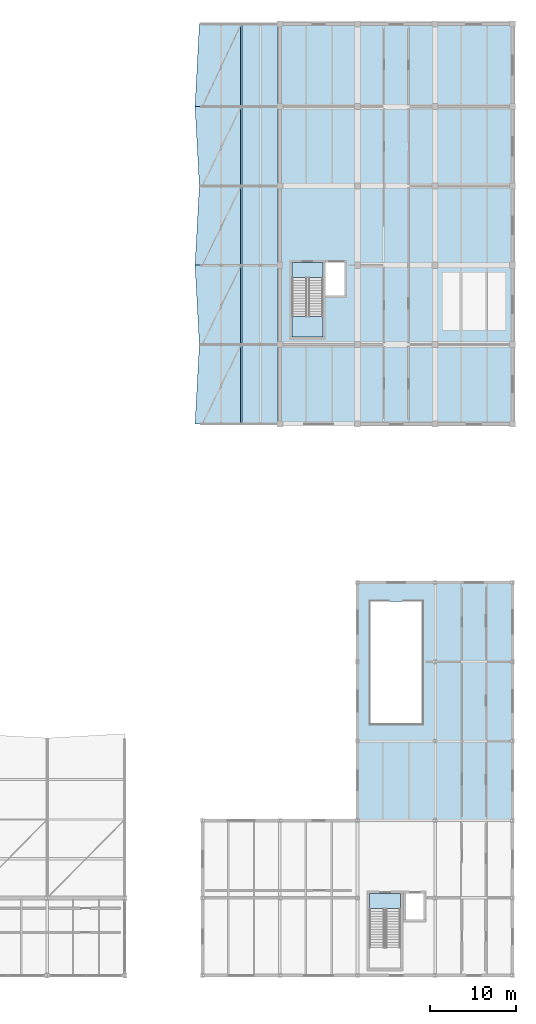
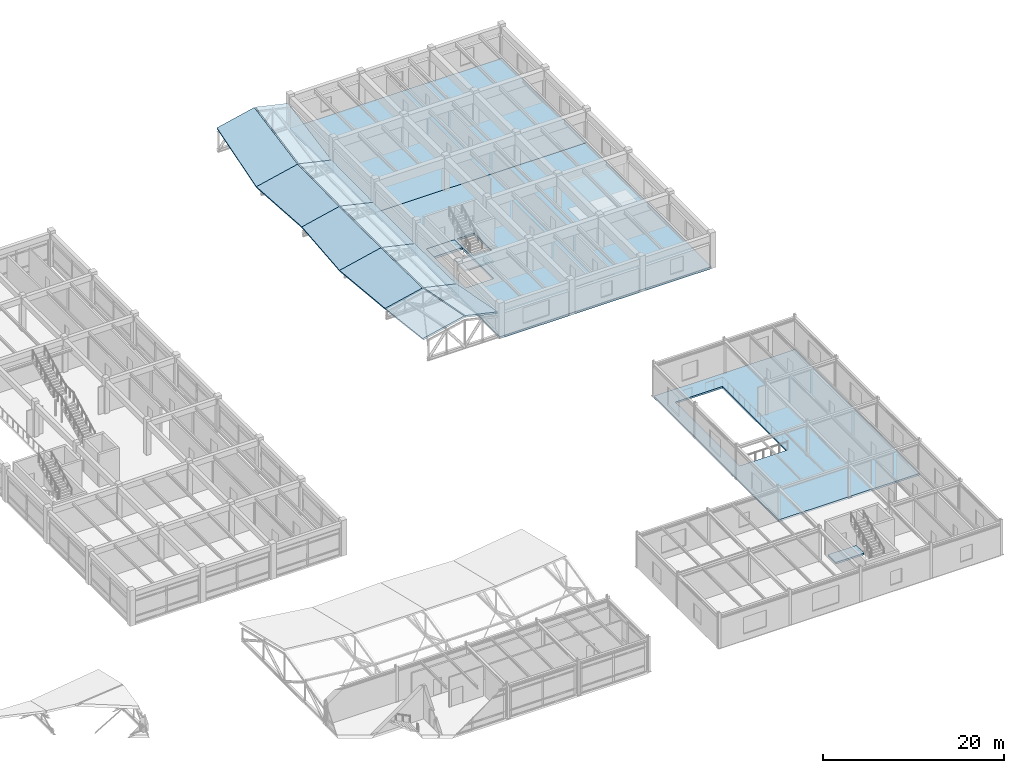
# One storey, part 58 of 90: 16 slabs, 1 element without a shape of its own.
"""IFC4 building model written with IfcOpenShell, lengths in metres."""

from ifc_helpers import new_model, si_unit, direction, frame, origin, place, context, subcontext, project, spatial, polyline, outline, extrude, material, layer, layer_set, type_object, element, aggregate, save


model = new_model("IFC4")

# Units and contexts
model_context = context("Model", 3, precision=1e-05, world=origin(), true_north=direction((0.0, 1.0)))
body_context = subcontext(model_context, "Body", "Model", "MODEL_VIEW")
ifc_project = project(units=[si_unit("LENGTHUNIT", "METRE"), si_unit("AREAUNIT", "SQUARE_METRE"), si_unit("VOLUMEUNIT", "CUBIC_METRE"), si_unit("PLANEANGLEUNIT", "RADIAN"), si_unit("MASSUNIT", "GRAM", prefix="KILO")], contexts=[model_context])

# Site, building, storey
site_placement = place(None, origin())
site = spatial("IfcSite", under=ifc_project, at=site_placement, CompositionType="ELEMENT")
building_placement = place(site_placement, origin())
building = spatial("IfcBuilding", under=site, at=building_placement, Name="Bozkorgan Art Gallery", CompositionType="ELEMENT")
storey_placement = place(building_placement, frame((0.0, 0.0, 5.39990234375)))
storey = spatial("IfcBuildingStorey", under=building, at=storey_placement, Name="L01", CompositionType="ELEMENT", Elevation=5.39990234375)

# Stair, slab
ifc_material = material(Name="Concrete C35/45", Category="concrete")
stair_type = type_object("IfcStairType", Name="STAIR-CORE3", PredefinedType="HALF_TURN_STAIR", material=ifc_material)
stair_placement = place(storey_placement, origin())
stair = element("IfcStair", 1, at=stair_placement, inside=storey, type_object=stair_type, Name="L01 ST3 Core Stair", PredefinedType="HALF_TURN_STAIR")
ifc_layer_1 = layer(ifc_material, 0.25, Name="Concrete C35/45")
ifc_layer_set_1 = layer_set([ifc_layer_1], Name="Concrete C35/45")
slab_type_1 = type_object("IfcSlabType", Name="LAND-CORE3", PredefinedType="LANDING", material=ifc_layer_set_1)
slab_1_placement = place(storey_placement, frame((0.0, 0.0, 2.2001953125)))
slab_1 = element("IfcSlab", 2, at=slab_1_placement, type_object=slab_type_1, Name="ST3 landing 1", PredefinedType="LANDING", context=body_context, shape_type="SweptSolid", body=[
    extrude(outline(polyline([(138.39990234375, 78.449951171875), (138.39990234375, 76.050048828125), (142.0, 76.050048828125), (142.0, 78.449951171875), (138.39990234375, 78.449951171875)])), origin(), (0.0, 0.0, 1.0), 0.199951171875),
])
aggregate(stair, [slab_1])

# Slabs
slab_2_placement = place(storey_placement, frame((0.0, 0.0, -0.27978515625)))
element("IfcSlab", 3, at=slab_2_placement, inside=storey, type_object=slab_type_1, Name="ST3 L01 floor landing", PredefinedType="LANDING", context=body_context, shape_type="SweptSolid", body=[
    extrude(outline(polyline([(138.39990234375, 82.949951171875), (142.0, 82.949951171875), (142.0, 84.699951171875), (138.39990234375, 84.699951171875), (138.39990234375, 82.949951171875)])), origin(), (0.0, 0.0, 1.0), 0.27978515625),
])
ifc_layer_2 = layer(ifc_material, 0.25, Name="Concrete C35/45")
ifc_layer_set_2 = layer_set([ifc_layer_2], Name="Concrete C35/45")
slab_type_2 = type_object("IfcSlabType", Name="LAND-CORE4", PredefinedType="LANDING", material=ifc_layer_set_2)
slab_3_placement = place(storey_placement, frame((0.0, 0.0, -0.239990234375)))
element("IfcSlab", 4, at=slab_3_placement, inside=storey, type_object=slab_type_2, Name="ST4 L01 floor landing", PredefinedType="LANDING", context=body_context, shape_type="SweptSolid", body=[
    extrude(outline(polyline([(147.39990234375, 9.75), (151.0, 9.75), (151.0, 11.5), (147.39990234375, 11.5), (147.39990234375, 9.75)])), origin(), (0.0, 0.0, 1.0), 0.239990234375),
])
ifc_layer_3 = layer(ifc_material, 0.219970703125, Name="Concrete C35/45")
ifc_layer_set_3 = layer_set([ifc_layer_3], Name="Concrete C35/45")
slab_type_3 = type_object("IfcSlabType", Name="SLAB-RF-44", PredefinedType="ROOF", material=ifc_layer_set_3)
slab_4_placement = place(storey_placement, frame((127.14990234375, 66.0, 3.198486328125), z_axis=(-0.21760080315, 0.187860580731, 0.957788229556), x_axis=(0.975149794755, -6.961765e-06, 0.221546558857)))
element("IfcSlab", 5, at=slab_4_placement, inside=storey, type_object=slab_type_3, Name="ROOF-V5-DOCK swept-eave pitched roof slab 1W", PredefinedType="ROOF", context=body_context, shape_type="SweptSolid", body=[
    extrude(outline(polyline([(0.0, 0.0), (5.404362632023629, -5.551115123125783e-17), (5.004476278684716, 9.366754475368904), (0.11294788070499961, 9.366681498488402), (0.0, 0.0)])), origin(), (0.0, 0.0, -1.0), 0.219970703125),
])
slab_5_placement = place(storey_placement, frame((132.580078125, 66.0, 4.39599609375), z_axis=(0.217604644199, 0.187869140936, 0.957785677857), x_axis=(0.975148899705, 5.136582e-06, -0.221550498481)))
element("IfcSlab", 6, at=slab_5_placement, inside=storey, type_object=slab_type_3, Name="ROOF-V5-DOCK swept-eave pitched roof slab 1E", PredefinedType="ROOF", context=body_context, shape_type="SweptSolid", body=[
    extrude(outline(polyline([(0.0, 0.0), (4.2762159891531, -2.7755575615628914e-17), (4.676038571204956, 9.366710163728165), (0.3998766715290244, 9.366754890112032), (0.0, 0.0)])), origin(), (0.0, 0.0, -1.0), 0.219970703125),
])
slab_6_placement = place(storey_placement, frame((127.64990234375, 75.199951171875, 1.5078125), z_axis=(-0.221491823862, 0.016698757195, 0.975019242615), x_axis=(0.975155213522, 3.09923e-07, 0.221522706605)))
element("IfcSlab", 7, at=slab_6_placement, inside=storey, type_object=slab_type_3, Name="ROOF-V5-DOCK swept-eave pitched roof slab 2W", PredefinedType="ROOF", context=body_context, shape_type="SweptSolid", body=[
    extrude(outline(polyline([(0.0, 0.0), (4.891528401781599, 0.0), (4.8566479166939684, 9.201232631052482), (-0.5476606263400977, 9.201235822417706), (0.0, 0.0)])), origin(), (0.0, 0.0, -1.0), 0.219970703125),
])
slab_7_placement = place(storey_placement, frame((132.580078125, 75.199951171875, 2.59130859375), z_axis=(0.221518637901, 0.016701721099, 0.975013100207), x_axis=(0.975149119111, -4.64866e-07, -0.221549532828)))
element("IfcSlab", 8, at=slab_7_placement, inside=storey, type_object=slab_type_3, Name="ROOF-V5-DOCK swept-eave pitched roof slab 2E", PredefinedType="ROOF", context=body_context, shape_type="SweptSolid", body=[
    extrude(outline(polyline([(0.0, 0.0), (4.276161899851824, -1.734723475976807e-18), (4.311099273062037, 9.20123659638261), (0.034883283968800256, 9.201232620120015), (0.0, 0.0)])), origin(), (0.0, 0.0, -1.0), 0.219970703125),
])
slab_8_placement = place(storey_placement, frame((127.14990234375, 84.39990234375, 1.236572265625), z_axis=(-0.221545260401, 3.713798e-06, 0.975150089771), x_axis=(0.975150089778, 2.3e-11, 0.221545260402)))
element("IfcSlab", 9, at=slab_8_placement, inside=storey, type_object=slab_type_3, Name="ROOF-V5-DOCK swept-eave pitched roof slab 3W", PredefinedType="ROOF", context=body_context, shape_type="SweptSolid", body=[
    extrude(outline(polyline([(0.0, 0.0), (5.404308543689534, 8.470329472543003e-22), (5.404308543905552, 9.200195312436556), (0.5127260573331108, 9.200195312678302), (0.0, 0.0)])), origin(), (0.0, 0.0, -1.0), 0.219970703125),
])
slab_9_placement = place(storey_placement, frame((132.580078125, 84.39990234375, 2.433837890625), z_axis=(0.221576685479, 0.0, 0.975142949752), x_axis=(0.975142949752, 0.0, -0.221576685479)))
element("IfcSlab", 10, at=slab_9_placement, inside=storey, type_object=slab_type_3, Name="ROOF-V5-DOCK swept-eave pitched roof slab 3E", PredefinedType="ROOF", context=body_context, shape_type="SweptSolid", body=[
    extrude(outline(polyline([(0.0, 0.0), (4.2762159907514325, 0.0), (4.2762159907514325, 9.2001953125), (0.0, 9.2001953125), (0.0, 0.0)])), origin(), (0.0, 0.0, -1.0), 0.219970703125),
])
slab_10_placement = place(storey_placement, frame((127.64990234375, 93.60009765625, 1.35009765625), z_axis=(-0.221525882213, -0.013226071406, 0.975064795049), x_axis=(0.975150089507, 9.2376e-08, 0.221545261594)))
element("IfcSlab", 11, at=slab_10_placement, inside=storey, type_object=slab_type_3, Name="ROOF-V5-DOCK swept-eave pitched roof slab 4W", PredefinedType="ROOF", context=body_context, shape_type="SweptSolid", body=[
    extrude(outline(polyline([(0.0, 0.0), (4.891582486572461, -1.734723475976807e-18), (4.919222405927205, 9.200755491970396), (-0.48508613776226245, 9.200756443146194), (0.0, 0.0)])), origin(), (0.0, 0.0, -1.0), 0.219970703125),
])
slab_11_placement = place(storey_placement, frame((132.580078125, 93.60009765625, 2.433837890625), z_axis=(0.22153013484, -0.013235280751, 0.97506370392), x_axis=(0.975149116311, -3.68397e-07, -0.221549545155)))
element("IfcSlab", 12, at=slab_11_placement, inside=storey, type_object=slab_type_3, Name="ROOF-V5-DOCK swept-eave pitched roof slab 4E", PredefinedType="ROOF", context=body_context, shape_type="SweptSolid", body=[
    extrude(outline(polyline([(0.0, 0.0), (4.276215989094914, 0.0), (4.24851890671229, 9.200758632979372), (-0.027642993138201725, 9.20075548202949), (0.0, 0.0)])), origin(), (0.0, 0.0, -1.0), 0.219970703125),
])
slab_12_placement = place(storey_placement, frame((127.14990234375, 102.800048828125, 1.361328125), z_axis=(-0.217784556283, -0.183471013095, 0.95859703442), x_axis=(0.975150136926, -1.140269e-06, 0.221545052872)))
element("IfcSlab", 13, at=slab_12_placement, inside=storey, type_object=slab_type_3, Name="ROOF-V5-DOCK swept-eave pitched roof slab 5W", PredefinedType="ROOF", context=body_context, shape_type="SweptSolid", body=[
    extrude(outline(polyline([(0.0, 0.0), (5.404308543693168, 0.0), (5.811364996671168, 9.765630544784935), (0.9197825101092904, 9.765618601971928), (0.0, 0.0)])), origin(), (0.0, 0.0, -1.0), 0.219970703125),
])
slab_13_placement = place(storey_placement, frame((132.580078125, 102.800048828125, 2.55859375), z_axis=(0.217789118189, -0.183462438222, 0.958597639137), x_axis=(0.975149324961, 5.020413e-06, -0.221548626721)))
element("IfcSlab", 14, at=slab_13_placement, inside=storey, type_object=slab_type_3, Name="ROOF-V5-DOCK swept-eave pitched roof slab 5E", PredefinedType="ROOF", context=body_context, shape_type="SweptSolid", body=[
    extrude(outline(polyline([(0.0, 0.0), (4.2761618999071285, 2.7755575615628914e-17), (3.8691902181632596, 9.765588145182704), (-0.40702577076406476, 9.765631823006478), (0.0, 0.0)])), origin(), (0.0, 0.0, -1.0), 0.219970703125),
])
ifc_layer_4 = layer(ifc_material, 0.239990234375, Name="Concrete C35/45")
ifc_layer_set_4 = layer_set([ifc_layer_4], Name="Concrete C35/45")
slab_type_4 = type_object("IfcSlabType", Name="SLAB-SL-33", PredefinedType="FLOOR", material=ifc_layer_set_4)
slab_14_placement = place(storey_placement, frame((0.0, 0.0, -0.239990234375)))
element("IfcSlab", 15, at=slab_14_placement, inside=storey, type_object=slab_type_4, Name="V6 L01 floor slab 2.1", PredefinedType="FLOOR", context=body_context, shape_type="SweptSolid", body=[
    extrude(outline(polyline([(146.0, 20.0), (164.0, 20.0), (164.0, 47.60009765625), (146.0, 47.60009765625), (146.0, 20.0)]), holes=[polyline([(147.5, 31.199951171875), (153.5, 31.199951171875), (153.5, 45.39990234375), (147.5, 45.39990234375), (147.5, 31.199951171875)])]), origin(), (0.0, 0.0, 1.0), 0.239990234375),
])
ifc_layer_5 = layer(ifc_material, 0.280029296875, Name="Concrete C35/45")
ifc_layer_set_5 = layer_set([ifc_layer_5], Name="Concrete C35/45")
slab_type_5 = type_object("IfcSlabType", Name="SLAB-SL-86", PredefinedType="FLOOR", material=ifc_layer_set_5)
slab_15_placement = place(storey_placement, frame((0.0, 0.0, -0.27978515625)))
element("IfcSlab", 16, at=slab_15_placement, inside=storey, type_object=slab_type_5, Name="V5 L01 floor slab 1.1", PredefinedType="FLOOR", context=body_context, shape_type="SweptSolid", body=[
    extrude(outline(polyline([(137.0, 66.0), (164.0, 66.0), (164.0, 93.60009765625), (137.0, 93.60009765625), (137.0, 66.0)]), holes=[polyline([(138.39990234375, 76.050048828125), (142.0, 76.050048828125), (142.0, 84.699951171875), (138.39990234375, 84.699951171875), (138.39990234375, 76.050048828125)]), polyline([(142.300048828125, 80.89990234375), (144.5, 80.89990234375), (144.5, 84.699951171875), (142.300048828125, 84.699951171875), (142.300048828125, 80.89990234375)])]), origin(), (0.0, 0.0, 1.0), 0.27978515625),
])
slab_16_placement = place(storey_placement, frame((0.0, 0.0, -0.27978515625)))
element("IfcSlab", 17, at=slab_16_placement, inside=storey, type_object=slab_type_5, Name="V5 L01 floor slab 1.2", PredefinedType="FLOOR", context=body_context, shape_type="SweptSolid", body=[
    extrude(outline(polyline([(137.0, 93.60009765625), (164.0, 93.60009765625), (164.0, 112.39990234375), (137.0, 112.39990234375), (137.0, 93.60009765625)])), origin(), (0.0, 0.0, 1.0), 0.27978515625),
])

save(model, "model.ifc")
